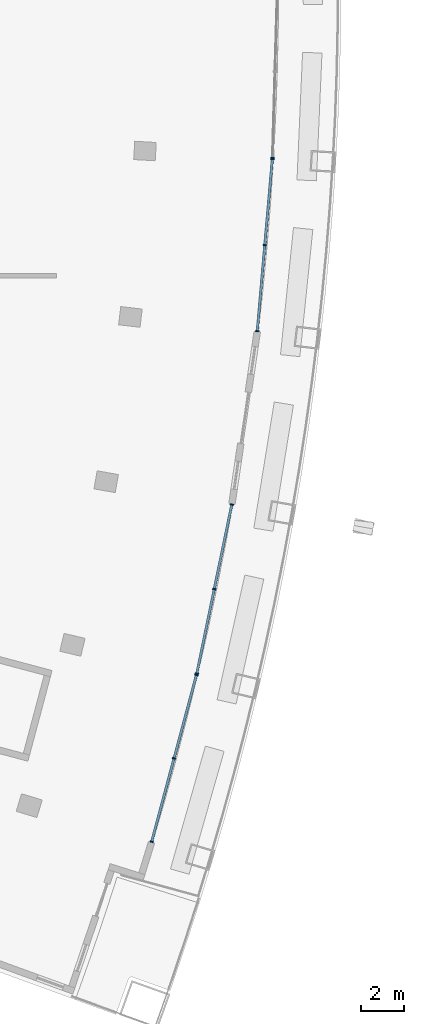
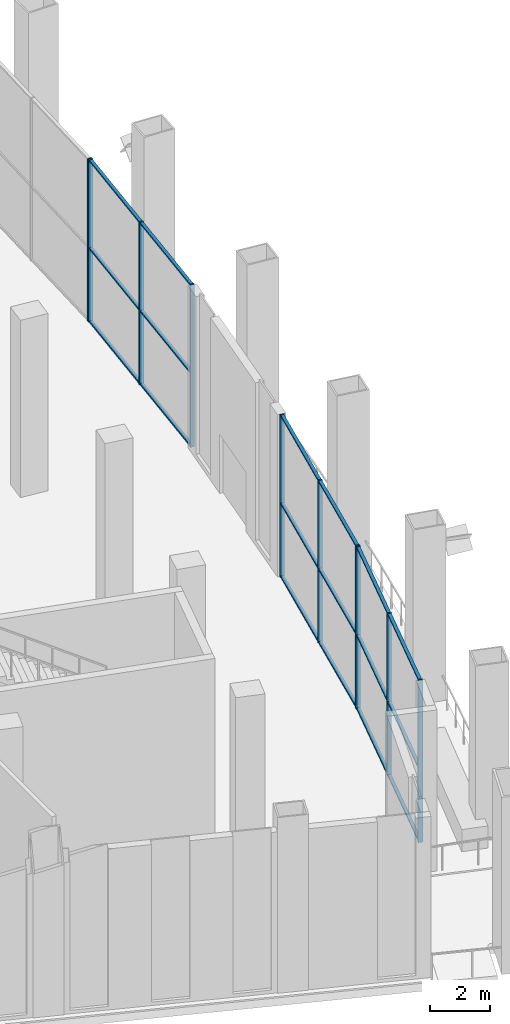
# One storey, part 3 of 18: 28 members, 4 elements without a shape of their own.
"""IFC4 building model written with IfcOpenShell, lengths in metres."""

from ifc_helpers import new_model, si_unit, direction, frame, origin, origin_2d, place, context, subcontext, project, spatial, rectangle, extrude, material, layer, layer_set, material_profile, profile_set, type_object, element, aggregate, save


model = new_model("IFC4")

# Units and contexts
model_context = context("Model", 3, precision=1e-05, world=origin(), true_north=direction((0.0, 1.0)))
body_context = subcontext(model_context, "Body", "Model", "MODEL_VIEW")
ifc_project = project(units=[si_unit("LENGTHUNIT", "METRE"), si_unit("AREAUNIT", "SQUARE_METRE"), si_unit("VOLUMEUNIT", "CUBIC_METRE"), si_unit("PLANEANGLEUNIT", "RADIAN"), si_unit("MASSUNIT", "GRAM", prefix="KILO")], contexts=[model_context])

# Site, building, storey
site_placement = place(None, origin())
site = spatial("IfcSite", under=ifc_project, at=site_placement, CompositionType="ELEMENT")
building_placement = place(site_placement, origin())
building = spatial("IfcBuilding", under=site, at=building_placement, Name="Alderwake Tower", CompositionType="ELEMENT")
storey_placement = place(building_placement, frame((0.0, 0.0, 125.60009765625)))
storey = spatial("IfcBuildingStorey", under=building, at=storey_placement, Name="L31", CompositionType="ELEMENT", Elevation=125.60009765625)

# Curtain wall, members
ifc_material_1 = material(Name="Bronze tinted glass in aluminium frame", Category="aluminium")
ifc_layer = layer(ifc_material_1, 0.199951171875)
ifc_layer_set = layer_set([ifc_layer], Name="Curtain wall CW3 sky garden glazing")
curtain_wall_type = type_object("IfcCurtainWallType", Name="Curtain wall CW3 sky garden glazing", PredefinedType="NOTDEFINED", material=ifc_layer_set)
curtain_wall_1_placement = place(storey_placement, origin())
curtain_wall_1 = element("IfcCurtainWall", 1, at=curtain_wall_1_placement, inside=storey, type_object=curtain_wall_type, Name="Curtain wall 3", PredefinedType="NOTDEFINED")
ifc_material_2 = material(Name="Aluminium bronze anodised", Category="aluminium")
ifc_material_profile_1 = material_profile(ifc_material_2, rectangle(XDim=0.159912109375, YDim=0.06005859375, at=origin_2d()), Name="Mullion MUC 60x160")
ifc_profile_set_1 = profile_set([ifc_material_profile_1], Name="Aluminium bronze anodised")
member_type_1 = type_object("IfcMemberType", Name="Mullion MUC 60x160", PredefinedType="MULLION", material=ifc_profile_set_1)
member_1_placement = place(storey_placement, frame((52.41845703125, 21.27392578125, 0.0), z_axis=(0.0, 0.0, 1.0), x_axis=(-0.965743478497, 0.25949861992, 0.0)))
member_1 = element("IfcMember", 2, at=member_1_placement, type_object=member_type_1, Name="CW.03 mullion 1", PredefinedType="MULLION", context=body_context, shape_type="SweptSolid", body=[
    extrude(rectangle(XDim=0.159912109375, YDim=0.06005859375, at=origin_2d()), origin(), (0.0, 0.0, 1.0), 6.599853515625),
])
member_2_placement = place(storey_placement, frame((53.457275390625, 25.139892578125, 0.0), z_axis=(0.0, 0.0, 1.0), x_axis=(-0.965743478497, 0.25949861992, 0.0)))
member_2 = element("IfcMember", 3, at=member_2_placement, type_object=member_type_1, Name="CW.03 mullion 2", PredefinedType="MULLION", context=body_context, shape_type="SweptSolid", body=[
    extrude(rectangle(XDim=0.159912109375, YDim=0.06005859375, at=origin_2d()), origin(), (0.0, 0.0, 1.0), 6.599853515625),
])
member_3_placement = place(storey_placement, frame((54.49609375, 29.006103515625, 0.0), z_axis=(0.0, 0.0, 1.0), x_axis=(-0.965743478497, 0.25949861992, 0.0)))
member_3 = element("IfcMember", 4, at=member_3_placement, type_object=member_type_1, Name="CW.03 mullion 3", PredefinedType="MULLION", context=body_context, shape_type="SweptSolid", body=[
    extrude(rectangle(XDim=0.159912109375, YDim=0.06005859375, at=origin_2d()), origin(), (0.0, 0.0, 1.0), 6.599853515625),
])

curtain_wall_2_placement = place(storey_placement, origin())
curtain_wall_2 = element("IfcCurtainWall", 5, at=curtain_wall_2_placement, inside=storey, type_object=curtain_wall_type, Name="Curtain wall 4", PredefinedType="NOTDEFINED")
member_4_placement = place(storey_placement, frame((54.50927734375, 29.0615234375, 0.0), z_axis=(0.0, 0.0, 1.0), x_axis=(-0.979229280682, 0.202756050105, 0.0)))
member_4 = element("IfcMember", 6, at=member_4_placement, type_object=member_type_1, Name="CW.04 mullion 1", PredefinedType="MULLION", context=body_context, shape_type="SweptSolid", body=[
    extrude(rectangle(XDim=0.159912109375, YDim=0.06005859375, at=origin_2d()), origin(), (0.0, 0.0, 1.0), 6.599853515625),
])
member_5_placement = place(storey_placement, frame((55.321044921875, 32.9814453125, 0.0), z_axis=(0.0, 0.0, 1.0), x_axis=(-0.979229280682, 0.202756050105, 0.0)))
member_5 = element("IfcMember", 7, at=member_5_placement, type_object=member_type_1, Name="CW.04 mullion 2", PredefinedType="MULLION", context=body_context, shape_type="SweptSolid", body=[
    extrude(rectangle(XDim=0.159912109375, YDim=0.06005859375, at=origin_2d()), origin(), (0.0, 0.0, 1.0), 6.599853515625),
])
member_6_placement = place(storey_placement, frame((56.132568359375, 36.901611328125, 0.0), z_axis=(0.0, 0.0, 1.0), x_axis=(-0.979229280682, 0.202756050105, 0.0)))
member_6 = element("IfcMember", 8, at=member_6_placement, type_object=member_type_1, Name="CW.04 mullion 3", PredefinedType="MULLION", context=body_context, shape_type="SweptSolid", body=[
    extrude(rectangle(XDim=0.159912109375, YDim=0.06005859375, at=origin_2d()), origin(), (0.0, 0.0, 1.0), 6.599853515625),
])

curtain_wall_3_placement = place(storey_placement, origin())
curtain_wall_3 = element("IfcCurtainWall", 9, at=curtain_wall_3_placement, inside=storey, type_object=curtain_wall_type, Name="Curtain wall 5", PredefinedType="NOTDEFINED")
member_7_placement = place(storey_placement, frame((57.312744140625, 44.935791015625, 0.0), z_axis=(0.0, 0.0, 1.0), x_axis=(-0.996174383152, 0.087387632716, 0.0)))
member_7 = element("IfcMember", 10, at=member_7_placement, type_object=member_type_1, Name="CW.05 mullion 1", PredefinedType="MULLION", context=body_context, shape_type="SweptSolid", body=[
    extrude(rectangle(XDim=0.159912109375, YDim=0.06005859375, at=origin_2d()), origin(), (0.0, 0.0, 1.0), 6.599853515625),
])
member_8_placement = place(storey_placement, frame((57.66259765625, 48.923828125, 0.0), z_axis=(0.0, 0.0, 1.0), x_axis=(-0.996174383152, 0.087387632716, 0.0)))
member_8 = element("IfcMember", 11, at=member_8_placement, type_object=member_type_1, Name="CW.05 mullion 2", PredefinedType="MULLION", context=body_context, shape_type="SweptSolid", body=[
    extrude(rectangle(XDim=0.159912109375, YDim=0.06005859375, at=origin_2d()), origin(), (0.0, 0.0, 1.0), 6.599853515625),
])
member_9_placement = place(storey_placement, frame((58.012451171875, 52.91162109375, 0.0), z_axis=(0.0, 0.0, 1.0), x_axis=(-0.996174383152, 0.087387632716, 0.0)))
member_9 = element("IfcMember", 12, at=member_9_placement, type_object=member_type_1, Name="CW.05 mullion 3", PredefinedType="MULLION", context=body_context, shape_type="SweptSolid", body=[
    extrude(rectangle(XDim=0.159912109375, YDim=0.06005859375, at=origin_2d()), origin(), (0.0, 0.0, 1.0), 6.599853515625),
])

# Curtain wall, member
curtain_wall_4_placement = place(storey_placement, origin())
curtain_wall_4 = element("IfcCurtainWall", 13, at=curtain_wall_4_placement, inside=storey, type_object=curtain_wall_type, Name="Curtain wall 6", PredefinedType="NOTDEFINED")
member_10_placement = place(storey_placement, frame((58.015625, 52.968505859375, 0.0), z_axis=(0.0, 0.0, 1.0), x_axis=(-0.999574808048, 0.029158242674, 0.0)))
member_10 = element("IfcMember", 14, at=member_10_placement, type_object=member_type_1, Name="CW.06 mullion 1", PredefinedType="MULLION", context=body_context, shape_type="SweptSolid", body=[
    extrude(rectangle(XDim=0.159912109375, YDim=0.06005859375, at=origin_2d()), origin(), (0.0, 0.0, 1.0), 6.599853515625),
])
aggregate(curtain_wall_4, [member_10])

# Member
ifc_material_3 = material(Name="Aluminium bronze anodised", Category="aluminium")
ifc_material_profile_2 = material_profile(ifc_material_3, rectangle(XDim=0.1201171875, YDim=0.06005859375, at=origin_2d()), Name="Transom TRC 60x120")
ifc_profile_set_2 = profile_set([ifc_material_profile_2], Name="Aluminium bronze anodised")
member_type_2 = type_object("IfcMemberType", Name="Transom TRC 60x120", PredefinedType="USERDEFINED", material=ifc_profile_set_2)
member_11_placement = place(storey_placement, frame((52.42626953125, 21.302978515625, 0.02978515625), z_axis=(0.25948495371, 0.965747150552, 0.0), x_axis=(-0.965747150552, 0.25948495371, 0.0)))
member_11 = element("IfcMember", 15, at=member_11_placement, type_object=member_type_2, Name="CW.03 transom 1.1", ObjectType="TRANSOM", PredefinedType="USERDEFINED", context=body_context, shape_type="SweptSolid", body=[
    extrude(rectangle(XDim=0.1201171875, YDim=0.06005859375, at=origin_2d()), origin(), (0.0, 0.0, 1.0), 3.943115234375),
])

member_12_placement = place(storey_placement, frame((52.42626953125, 21.302978515625, 3.0), z_axis=(0.25948495371, 0.965747150552, 0.0), x_axis=(-0.965747150552, 0.25948495371, 0.0)))
member_12 = element("IfcMember", 16, at=member_12_placement, type_object=member_type_2, Name="CW.03 transom 1.2", ObjectType="TRANSOM", PredefinedType="USERDEFINED", context=body_context, shape_type="SweptSolid", body=[
    extrude(rectangle(XDim=0.1201171875, YDim=0.06005859375, at=origin_2d()), origin(), (0.0, 0.0, 1.0), 3.943115234375),
])

member_13_placement = place(storey_placement, frame((52.42626953125, 21.302978515625, 6.56982421875), z_axis=(0.25948495371, 0.965747150552, 0.0), x_axis=(-0.965747150552, 0.25948495371, 0.0)))
member_13 = element("IfcMember", 17, at=member_13_placement, type_object=member_type_2, Name="CW.03 transom 1.3", ObjectType="TRANSOM", PredefinedType="USERDEFINED", context=body_context, shape_type="SweptSolid", body=[
    extrude(rectangle(XDim=0.1201171875, YDim=0.06005859375, at=origin_2d()), origin(), (0.0, 0.0, 1.0), 3.943115234375),
])

member_14_placement = place(storey_placement, frame((53.465087890625, 25.1689453125, 0.02978515625), z_axis=(0.25948495371, 0.965747150552, 0.0), x_axis=(-0.965747150552, 0.25948495371, 0.0)))
member_14 = element("IfcMember", 18, at=member_14_placement, type_object=member_type_2, Name="CW.03 transom 2.1", ObjectType="TRANSOM", PredefinedType="USERDEFINED", context=body_context, shape_type="SweptSolid", body=[
    extrude(rectangle(XDim=0.1201171875, YDim=0.06005859375, at=origin_2d()), origin(), (0.0, 0.0, 1.0), 3.943115234375),
])

member_15_placement = place(storey_placement, frame((53.465087890625, 25.1689453125, 3.0), z_axis=(0.25948495371, 0.965747150552, 0.0), x_axis=(-0.965747150552, 0.25948495371, 0.0)))
member_15 = element("IfcMember", 19, at=member_15_placement, type_object=member_type_2, Name="CW.03 transom 2.2", ObjectType="TRANSOM", PredefinedType="USERDEFINED", context=body_context, shape_type="SweptSolid", body=[
    extrude(rectangle(XDim=0.1201171875, YDim=0.06005859375, at=origin_2d()), origin(), (0.0, 0.0, 1.0), 3.943115234375),
])

member_16_placement = place(storey_placement, frame((53.465087890625, 25.1689453125, 6.56982421875), z_axis=(0.25948495371, 0.965747150552, 0.0), x_axis=(-0.965747150552, 0.25948495371, 0.0)))
member_16 = element("IfcMember", 20, at=member_16_placement, type_object=member_type_2, Name="CW.03 transom 2.3", ObjectType="TRANSOM", PredefinedType="USERDEFINED", context=body_context, shape_type="SweptSolid", body=[
    extrude(rectangle(XDim=0.1201171875, YDim=0.06005859375, at=origin_2d()), origin(), (0.0, 0.0, 1.0), 3.943115234375),
])

aggregate(curtain_wall_1, [member_1, member_2, member_3, member_11, member_12, member_13, member_14, member_15, member_16])

member_17_placement = place(storey_placement, frame((54.515380859375, 29.0908203125, 0.02978515625), z_axis=(0.202767339319, 0.979226943106, 0.0), x_axis=(-0.979226943106, 0.202767339319, 0.0)))
member_17 = element("IfcMember", 21, at=member_17_placement, type_object=member_type_2, Name="CW.04 transom 1.1", ObjectType="TRANSOM", PredefinedType="USERDEFINED", context=body_context, shape_type="SweptSolid", body=[
    extrude(rectangle(XDim=0.1201171875, YDim=0.06005859375, at=origin_2d()), origin(), (0.0, 0.0, 1.0), 3.943359375),
])

member_18_placement = place(storey_placement, frame((54.515380859375, 29.0908203125, 3.0), z_axis=(0.202767339319, 0.979226943106, 0.0), x_axis=(-0.979226943106, 0.202767339319, 0.0)))
member_18 = element("IfcMember", 22, at=member_18_placement, type_object=member_type_2, Name="CW.04 transom 1.2", ObjectType="TRANSOM", PredefinedType="USERDEFINED", context=body_context, shape_type="SweptSolid", body=[
    extrude(rectangle(XDim=0.1201171875, YDim=0.06005859375, at=origin_2d()), origin(), (0.0, 0.0, 1.0), 3.943359375),
])

member_19_placement = place(storey_placement, frame((54.515380859375, 29.0908203125, 6.56982421875), z_axis=(0.202767339319, 0.979226943106, 0.0), x_axis=(-0.979226943106, 0.202767339319, 0.0)))
member_19 = element("IfcMember", 23, at=member_19_placement, type_object=member_type_2, Name="CW.04 transom 1.3", ObjectType="TRANSOM", PredefinedType="USERDEFINED", context=body_context, shape_type="SweptSolid", body=[
    extrude(rectangle(XDim=0.1201171875, YDim=0.06005859375, at=origin_2d()), origin(), (0.0, 0.0, 1.0), 3.943359375),
])

member_20_placement = place(storey_placement, frame((55.3271484375, 33.010986328125, 0.02978515625), z_axis=(0.202720260793, 0.97923669042, 0.0), x_axis=(-0.97923669042, 0.202720260793, 0.0)))
member_20 = element("IfcMember", 24, at=member_20_placement, type_object=member_type_2, Name="CW.04 transom 2.1", ObjectType="TRANSOM", PredefinedType="USERDEFINED", context=body_context, shape_type="SweptSolid", body=[
    extrude(rectangle(XDim=0.1201171875, YDim=0.06005859375, at=origin_2d()), origin(), (0.0, 0.0, 1.0), 3.94287109375),
])

member_21_placement = place(storey_placement, frame((55.3271484375, 33.010986328125, 3.0), z_axis=(0.202720260793, 0.97923669042, 0.0), x_axis=(-0.97923669042, 0.202720260793, 0.0)))
member_21 = element("IfcMember", 25, at=member_21_placement, type_object=member_type_2, Name="CW.04 transom 2.2", ObjectType="TRANSOM", PredefinedType="USERDEFINED", context=body_context, shape_type="SweptSolid", body=[
    extrude(rectangle(XDim=0.1201171875, YDim=0.06005859375, at=origin_2d()), origin(), (0.0, 0.0, 1.0), 3.94287109375),
])

member_22_placement = place(storey_placement, frame((55.3271484375, 33.010986328125, 6.56982421875), z_axis=(0.202720260793, 0.97923669042, 0.0), x_axis=(-0.97923669042, 0.202720260793, 0.0)))
member_22 = element("IfcMember", 26, at=member_22_placement, type_object=member_type_2, Name="CW.04 transom 2.3", ObjectType="TRANSOM", PredefinedType="USERDEFINED", context=body_context, shape_type="SweptSolid", body=[
    extrude(rectangle(XDim=0.1201171875, YDim=0.06005859375, at=origin_2d()), origin(), (0.0, 0.0, 1.0), 3.94287109375),
])

aggregate(curtain_wall_2, [member_4, member_5, member_6, member_17, member_18, member_19, member_20, member_21, member_22])

member_23_placement = place(storey_placement, frame((57.3154296875, 44.9658203125, 0.02978515625), z_axis=(0.087364344385, 0.996176425805, 0.0), x_axis=(-0.996176425805, 0.087364344385, 0.0)))
member_23 = element("IfcMember", 27, at=member_23_placement, type_object=member_type_2, Name="CW.05 transom 1.1", ObjectType="TRANSOM", PredefinedType="USERDEFINED", context=body_context, shape_type="SweptSolid", body=[
    extrude(rectangle(XDim=0.1201171875, YDim=0.06005859375, at=origin_2d()), origin(), (0.0, 0.0, 1.0), 3.943115234375),
])

member_24_placement = place(storey_placement, frame((57.3154296875, 44.9658203125, 3.0), z_axis=(0.087364344385, 0.996176425805, 0.0), x_axis=(-0.996176425805, 0.087364344385, 0.0)))
member_24 = element("IfcMember", 28, at=member_24_placement, type_object=member_type_2, Name="CW.05 transom 1.2", ObjectType="TRANSOM", PredefinedType="USERDEFINED", context=body_context, shape_type="SweptSolid", body=[
    extrude(rectangle(XDim=0.1201171875, YDim=0.06005859375, at=origin_2d()), origin(), (0.0, 0.0, 1.0), 3.943115234375),
])

member_25_placement = place(storey_placement, frame((57.3154296875, 44.9658203125, 6.56982421875), z_axis=(0.087364344385, 0.996176425805, 0.0), x_axis=(-0.996176425805, 0.087364344385, 0.0)))
member_25 = element("IfcMember", 29, at=member_25_placement, type_object=member_type_2, Name="CW.05 transom 1.3", ObjectType="TRANSOM", PredefinedType="USERDEFINED", context=body_context, shape_type="SweptSolid", body=[
    extrude(rectangle(XDim=0.1201171875, YDim=0.06005859375, at=origin_2d()), origin(), (0.0, 0.0, 1.0), 3.943115234375),
])

member_26_placement = place(storey_placement, frame((57.665283203125, 48.95361328125, 0.02978515625), z_axis=(0.087358956094, 0.996176898342, 0.0), x_axis=(-0.996176898342, 0.087358956094, 0.0)))
member_26 = element("IfcMember", 30, at=member_26_placement, type_object=member_type_2, Name="CW.05 transom 2.1", ObjectType="TRANSOM", PredefinedType="USERDEFINED", context=body_context, shape_type="SweptSolid", body=[
    extrude(rectangle(XDim=0.1201171875, YDim=0.06005859375, at=origin_2d()), origin(), (0.0, 0.0, 1.0), 3.943359375),
])

member_27_placement = place(storey_placement, frame((57.665283203125, 48.95361328125, 3.0), z_axis=(0.087358956094, 0.996176898342, 0.0), x_axis=(-0.996176898342, 0.087358956094, 0.0)))
member_27 = element("IfcMember", 31, at=member_27_placement, type_object=member_type_2, Name="CW.05 transom 2.2", ObjectType="TRANSOM", PredefinedType="USERDEFINED", context=body_context, shape_type="SweptSolid", body=[
    extrude(rectangle(XDim=0.1201171875, YDim=0.06005859375, at=origin_2d()), origin(), (0.0, 0.0, 1.0), 3.943359375),
])

member_28_placement = place(storey_placement, frame((57.665283203125, 48.95361328125, 6.56982421875), z_axis=(0.087358956094, 0.996176898342, 0.0), x_axis=(-0.996176898342, 0.087358956094, 0.0)))
member_28 = element("IfcMember", 32, at=member_28_placement, type_object=member_type_2, Name="CW.05 transom 2.3", ObjectType="TRANSOM", PredefinedType="USERDEFINED", context=body_context, shape_type="SweptSolid", body=[
    extrude(rectangle(XDim=0.1201171875, YDim=0.06005859375, at=origin_2d()), origin(), (0.0, 0.0, 1.0), 3.943359375),
])

aggregate(curtain_wall_3, [member_7, member_8, member_9, member_23, member_24, member_25, member_26, member_27, member_28])

save(model, "model.ifc")
